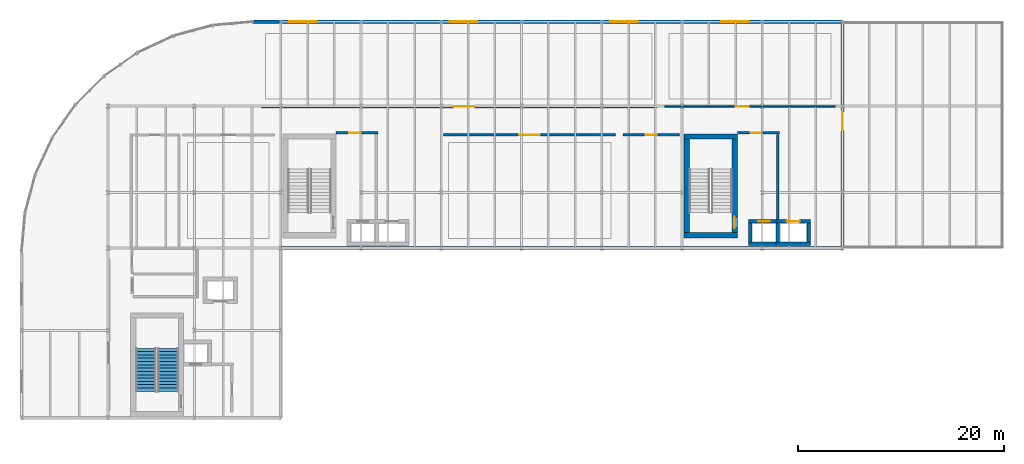
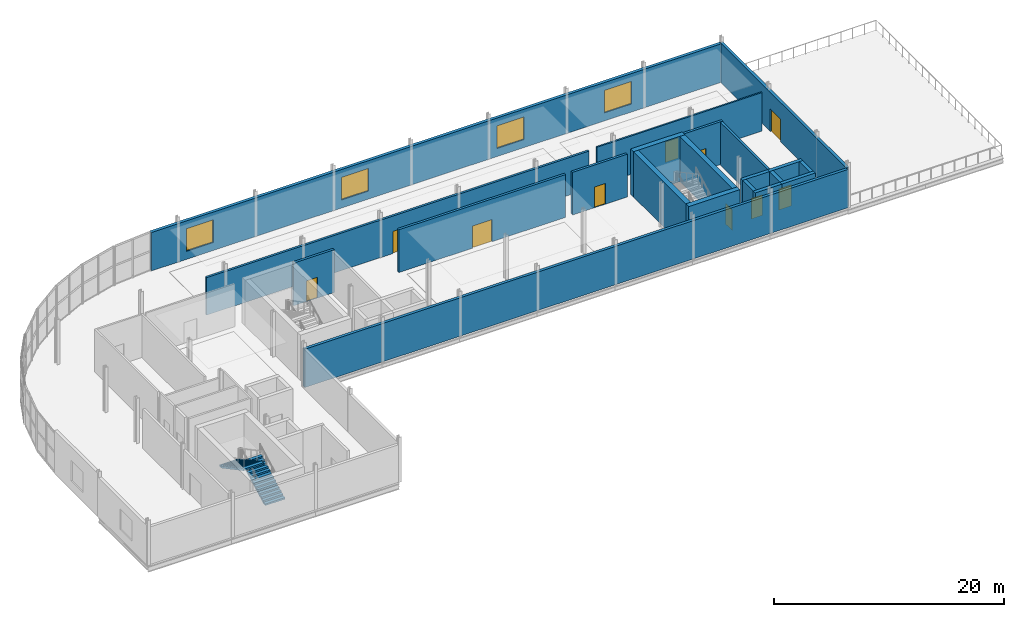
# One storey, part 11 of 15: 21 walls, 10 doors, 4 windows, 2 stair flights, 14 openings, 1 element without a shape of its own.
"""IFC4 building model written with IfcOpenShell, lengths in metres."""

import ifcopenshell
import ifcopenshell.guid

model = None  # the IFC model being written
_history = None  # IfcOwnerHistory: only IFC2X3 demands one
_inside = {}  # id of a spatial element -> (the spatial element, [elements in it])
_under = {}  # id of a project, library or spatial element -> (it, [spatial elements below it])
_declared = {}  # id of a project -> (the project, [libraries it declares])
_typed = {}  # id of a type object -> (the type object, [elements of that type])
_made_of = {}  # id of a material, layer set ... -> (it, [elements and type objects made of it])


def new_model(schema):
    """Start an empty IFC model of exactly this schema.

    Asked for "IFC4X3", IfcOpenShell would pick the latest addendum, in which some entities
    have other attributes; the version numbers below select the first issue.
    IFC2X3 requires an IfcOwnerHistory on every rooted entity: one is made here for all.
    """
    global model, _history
    if schema == "IFC4X3":
        model = ifcopenshell.file(schema_version=(4, 3, 0, 0))
    else:
        model = ifcopenshell.file(schema=schema)
    _inside.clear()
    _under.clear()
    _declared.clear()
    _typed.clear()
    _made_of.clear()
    _history = None
    if model.schema == "IFC2X3":
        org = make("IfcOrganization", Name="unknown")
        user = make(
            "IfcPersonAndOrganization",
            ThePerson=make("IfcPerson", FamilyName="unknown"),
            TheOrganization=org,
        )
        app = make(
            "IfcApplication",
            ApplicationDeveloper=org,
            Version="unknown",
            ApplicationFullName="unknown",
            ApplicationIdentifier="unknown",
        )
        _history = make(
            "IfcOwnerHistory",
            OwningUser=user,
            OwningApplication=app,
            ChangeAction="ADDED",
            CreationDate=0,
        )
    return model


def make(cls, **values):
    """One entity of the class cls with the attributes given. An attribute that is None is left unset."""
    return model.create_entity(
        cls, **{name: value for name, value in values.items() if value is not None}
    )


def rooted(cls, **values):
    """An entity with a GlobalId (a new one), such as an element, a storey or a relation."""
    return make(cls, GlobalId=ifcopenshell.guid.new(), OwnerHistory=_history, **values)


def si_unit(unit_type, name, prefix=None):
    """IfcSIUnit, for example si_unit("LENGTHUNIT", "METRE", prefix="MILLI")."""
    return make("IfcSIUnit", UnitType=unit_type, Prefix=prefix, Name=name)


def assignment(units):
    """IfcUnitAssignment: the units of a project."""
    return None if units is None else make("IfcUnitAssignment", Units=units)


def point(xyz):
    """IfcCartesianPoint."""
    return None if xyz is None else make("IfcCartesianPoint", Coordinates=xyz)


def direction(xyz):
    """IfcDirection."""
    return None if xyz is None else make("IfcDirection", DirectionRatios=xyz)


def frame(location, z_axis=None, x_axis=None):
    """IfcAxis2Placement3D, a coordinate frame: its origin and axes. An axis left out is left unset."""
    return make(
        "IfcAxis2Placement3D",
        Location=point(location),
        Axis=direction(z_axis),
        RefDirection=direction(x_axis),
    )


def frame_2d(location, x_axis=None):
    """IfcAxis2Placement2D, a coordinate frame in the plane: its origin and x axis."""
    return make(
        "IfcAxis2Placement2D", Location=point(location), RefDirection=direction(x_axis)
    )


def origin():
    """The frame at (0, 0, 0) with its axes left unset."""
    return frame((0.0, 0.0, 0.0))


def place(relative_to, where):
    """IfcLocalPlacement: puts the frame where relative to a parent placement (None: the world)."""
    return make(
        "IfcLocalPlacement", PlacementRelTo=relative_to, RelativePlacement=where
    )


def context(
    kind, dimensions, precision=None, world=None, true_north=None, identifier=None
):
    """IfcGeometricRepresentationContext, for example the 3D "Model" context."""
    return make(
        "IfcGeometricRepresentationContext",
        ContextIdentifier=identifier,
        ContextType=kind,
        CoordinateSpaceDimension=dimensions,
        Precision=precision,
        WorldCoordinateSystem=world,
        TrueNorth=true_north,
    )


def subcontext(parent, identifier, kind, view, scale=None):
    """IfcGeometricRepresentationSubContext, for example "Body" below "Model"."""
    return make(
        "IfcGeometricRepresentationSubContext",
        ContextIdentifier=identifier,
        ContextType=kind,
        ParentContext=parent,
        TargetScale=scale,
        TargetView=view,
    )


def project(units=None, contexts=None):
    """IfcProject with its units and contexts."""
    return rooted(
        "IfcProject",
        Name="project",
        RepresentationContexts=contexts,
        UnitsInContext=assignment(units),
    )


def spatial(cls, under=None, at=None, **own):
    """A site, building, storey or space (cls), placed at a placement, below another one or the project."""
    s = rooted(cls, ObjectPlacement=at, **own)
    if under is not None:
        _under.setdefault(under.id(), (under, []))[1].append(s)
    return s


def polyline(points):
    """IfcPolyline through the points."""
    return make("IfcPolyline", Points=[point(p) for p in points])


def profile(cls, at=None, kind="AREA", **sizes):
    """A parametric profile (cls). Its sizes go by their IFC names, for example OverallWidth=200.0."""
    return make(cls, ProfileType=kind, Position=at, **sizes)


def rectangle(**sizes):
    """IfcRectangleProfileDef."""
    return profile("IfcRectangleProfileDef", **sizes)


def outline(outer, holes=None, kind="AREA"):
    """IfcArbitraryClosedProfileDef: a profile drawn as a closed curve; with holes, ...WithVoids."""
    if holes is None:
        return make("IfcArbitraryClosedProfileDef", ProfileType=kind, OuterCurve=outer)
    return make(
        "IfcArbitraryProfileDefWithVoids",
        ProfileType=kind,
        OuterCurve=outer,
        InnerCurves=holes,
    )


def extrude(swept, where, along, depth):
    """IfcExtrudedAreaSolid: the profile swept, set in the frame where, extruded along a direction by depth."""
    return make(
        "IfcExtrudedAreaSolid",
        SweptArea=swept,
        Position=where,
        ExtrudedDirection=direction(along),
        Depth=depth,
    )


def shape(context_of_items, identifier, shape_type, items):
    """IfcShapeRepresentation: the items that make up one representation, for example the "Body"."""
    return make(
        "IfcShapeRepresentation",
        ContextOfItems=context_of_items,
        RepresentationIdentifier=identifier,
        RepresentationType=shape_type,
        Items=items,
    )


def material(Name=None, Category=None):
    """IfcMaterial."""
    return make("IfcMaterial", Name=Name, Category=Category)


def layer(
    of_material, thickness, ventilated=None, Name=None, Category=None, Priority=None
):
    """IfcMaterialLayer: one layer of a wall or slab, of a material (None: an air gap)."""
    return make(
        "IfcMaterialLayer",
        Material=of_material,
        LayerThickness=thickness,
        IsVentilated=ventilated,
        Name=Name,
        Category=Category,
        Priority=Priority,
    )


def layer_set(layers, Name=None):
    """IfcMaterialLayerSet."""
    return make("IfcMaterialLayerSet", MaterialLayers=layers, LayerSetName=Name)


def made_of(thing, what):
    """Note that an element or type object is made of a material, layer set ...; save() writes the relation."""
    if what is not None:
        _made_of.setdefault(what.id(), (what, []))[1].append(thing)
    return thing


def type_object(cls, material=None, **own):
    """A type object (cls), such as IfcWallType, which elements share."""
    return made_of(rooted(cls, **own), material)


def element(
    cls,
    number,
    at=None,
    inside=None,
    cuts=None,
    type_object=None,
    material=None,
    context=None,
    identifier="Body",
    shape_type=None,
    held_by="IfcProductDefinitionShape",
    body=None,
    shapes=None,
    **own,
):
    """One element of the class cls, such as IfcWall. Its Tag is "e" and its number.

    at: its placement. inside: the storey or other place that contains it. cuts: it is an
    opening in that element (IfcRelVoidsElement). A single representation is given by context,
    identifier, shape_type and body (its items); several are given by shapes. held_by: the class
    of the entity that holds the representations. save() writes the other relations.
    """
    e = rooted(cls, Tag="e%d" % number, ObjectPlacement=at, **own)
    if body is not None:
        shapes = [shape(context, identifier, shape_type, body)]
    if shapes is not None:
        e.Representation = make(held_by, Representations=shapes)
    if inside is not None:
        _inside.setdefault(inside.id(), (inside, []))[1].append(e)
    if cuts is not None:
        rooted(
            "IfcRelVoidsElement", RelatingBuildingElement=cuts, RelatedOpeningElement=e
        )
    if type_object is not None:
        _typed.setdefault(type_object.id(), (type_object, []))[1].append(e)
    return made_of(e, material)


def fill(opening, filler):
    """IfcRelFillsElement: the door or window that sits in an opening."""
    return rooted(
        "IfcRelFillsElement",
        RelatingOpeningElement=opening,
        RelatedBuildingElement=filler,
    )


def aggregate(whole, parts):
    """IfcRelAggregates: a whole, such as a stair, and the parts it consists of."""
    return rooted("IfcRelAggregates", RelatingObject=whole, RelatedObjects=parts)


def save(model, path):
    """Write the relations noted so far, then the file.

    IfcRelAggregates (storeys below a building ...), IfcRelContainedInSpatialStructure (elements
    in a storey), IfcRelDefinesByType, IfcRelAssociatesMaterial and IfcRelDeclares: one each for
    every whole, place, type object, material and project.
    """
    for whole, parts in _under.values():
        aggregate(whole, parts)
    for where, things in _inside.values():
        rooted(
            "IfcRelContainedInSpatialStructure",
            RelatedElements=things,
            RelatingStructure=where,
        )
    for kind, things in _typed.values():
        rooted("IfcRelDefinesByType", RelatedObjects=things, RelatingType=kind)
    for what, things in _made_of.values():
        rooted("IfcRelAssociatesMaterial", RelatedObjects=things, RelatingMaterial=what)
    for by, libraries in _declared.values():
        rooted("IfcRelDeclares", RelatingContext=by, RelatedDefinitions=libraries)
    model.write(path)


model = new_model("IFC4")

# Units and contexts
model_context = context("Model", 3, precision=1e-05, world=origin(), true_north=direction((0.0, 1.0)))
body_context = subcontext(model_context, "Body", "Model", "MODEL_VIEW")
ifc_project = project(units=[si_unit("LENGTHUNIT", "METRE"), si_unit("AREAUNIT", "SQUARE_METRE"), si_unit("VOLUMEUNIT", "CUBIC_METRE"), si_unit("PLANEANGLEUNIT", "RADIAN"), si_unit("MASSUNIT", "GRAM", prefix="KILO")], contexts=[model_context])

# Site, building, storey
site_placement = place(None, origin())
site = spatial("IfcSite", under=ifc_project, at=site_placement, CompositionType="ELEMENT")
building_placement = place(site_placement, origin())
building = spatial("IfcBuilding", under=site, at=building_placement, Name="Sefraquen Railside Congress Hotel", CompositionType="ELEMENT")
storey_placement = place(building_placement, frame((0.0, 0.0, 46.800048828125)))
storey = spatial("IfcBuildingStorey", under=building, at=storey_placement, Name="L11", CompositionType="ELEMENT", Elevation=46.800048828125)

# Wall, opening, door
ifc_material_1 = material(Name="Acoustic double stud and gypsum board", Category="gypsum")
ifc_layer_1 = layer(ifc_material_1, 0.219970703125)
ifc_layer_set_1 = layer_set([ifc_layer_1], Name="Acoustic double stud and gypsum board")
wall_type_1 = type_object("IfcWallType", Name="TW-AW-220", PredefinedType="PARTITIONING", material=ifc_layer_set_1)
wall_1_placement = place(storey_placement, frame((23.300048828125, 109.75, 0.0), z_axis=(0.0, 0.0, 1.0), x_axis=(1.0, 0.0, 0.0)))
wall_1 = element("IfcWall", 1, at=wall_1_placement, inside=storey, type_object=wall_type_1, Name="Panoramic Specialty Restaurant enclosure wall", PredefinedType="PARTITIONING", context=body_context, shape_type="SweptSolid", body=[
    extrude(rectangle(XDim=38.39990234375, YDim=0.219970703125, at=frame_2d((19.199951171875, 0.0))), origin(), (0.0, 0.0, 1.0), 3.97998046875),
])
opening_1_placement = place(wall_1_placement, frame((18.699951171875, 0.0, 0.0)))
opening_1 = element("IfcOpeningElement", 2, at=opening_1_placement, cuts=wall_1, Name="Opening AD-02", PredefinedType="OPENING", context=body_context, shape_type="SweptSolid", body=[
    extrude(rectangle(XDim=2.0, YDim=2.35009765625, at=frame_2d((1.0, 1.175048828125))), frame((0.0, 0.119873046875, 0.0), z_axis=(0.0, -1.0, 0.0), x_axis=(1.0, 0.0, 0.0)), (0.0, 0.0, 1.0), 0.239990234375),
])
ifc_material_2 = material(Name="Acoustic Atlas cedar timber", Category="wood")
door_type_1 = type_object("IfcDoorType", Name="TD-AD-02", OperationType="NOTDEFINED", PredefinedType="DOOR", material=ifc_material_2)
door_1_placement = place(opening_1_placement, origin())
door_1 = element("IfcDoor", 3, at=door_1_placement, inside=storey, type_object=door_type_1, Name="Panoramic Specialty Restaurant entrance door", OperationType="DOUBLE_SWING_LEFT", OverallHeight=2.35009765625, OverallWidth=2.0, PredefinedType="DOOR", context=body_context, shape_type="SweptSolid", body=[
    extrude(rectangle(XDim=2.0, YDim=2.35009765625, at=frame_2d((1.0, 1.175048828125))), frame((0.0, 0.02490234375, 0.0), z_axis=(0.0, -1.0, 0.0), x_axis=(1.0, 0.0, 0.0)), (0.0, 0.0, 1.0), 0.050048828125),
])
fill(opening_1, door_1)

ifc_material_3 = material(Name="Concrete C50/60", Category="concrete")
ifc_layer_2 = layer(ifc_material_3, 0.35009765625)
ifc_layer_set_2 = layer_set([ifc_layer_2], Name="Concrete C50/60")
wall_type_2 = type_object("IfcWallType", Name="TW-CW-350", PredefinedType="SHEAR", material=ifc_layer_set_2)
wall_2_placement = place(storey_placement, frame((70.639892578125, 98.594970703125, 0.0), z_axis=(0.0, 0.0, 1.0), x_axis=(1.0, 0.0, 0.0)))
wall_2 = element("IfcWall", 4, at=wall_2_placement, inside=storey, type_object=wall_type_2, Name="Lift FL-03 shaft wall N L11", PredefinedType="SHEAR", context=body_context, shape_type="SweptSolid", body=[
    extrude(rectangle(XDim=2.690185546875, YDim=0.35009765625, at=frame_2d((1.34521484375, 0.0))), origin(), (0.0, 0.0, 1.0), 4.5400390625),
])
opening_2_placement = place(wall_2_placement, frame((0.969970703125, 0.0, 0.0)))
opening_2 = element("IfcOpeningElement", 5, at=opening_2_placement, cuts=wall_2, Name="Opening LD-01", PredefinedType="OPENING", context=body_context, shape_type="SweptSolid", body=[
    extrude(rectangle(XDim=1.10009765625, YDim=2.199951171875, at=frame_2d((0.550048828125, 1.10009765625))), frame((0.0, 0.18505859375, 0.0), z_axis=(0.0, -1.0, 0.0), x_axis=(1.0, 0.0, 0.0)), (0.0, 0.0, 1.0), 0.3701171875),
])
ifc_material_4 = material(Name="Brushed bronze stainless steel", Category="steel")
door_type_2 = type_object("IfcDoorType", Name="TD-LD-01", OperationType="NOTDEFINED", PredefinedType="DOOR", material=ifc_material_4)
door_2_placement = place(opening_2_placement, origin())
door_2 = element("IfcDoor", 6, at=door_2_placement, inside=storey, type_object=door_type_2, Name="Lift landing door FL-03 L11", OperationType="SLIDING_TO_LEFT", OverallHeight=2.199951171875, OverallWidth=1.10009765625, PredefinedType="DOOR", context=body_context, shape_type="SweptSolid", body=[
    extrude(rectangle(XDim=1.10009765625, YDim=2.199951171875, at=frame_2d((0.550048828125, 1.10009765625))), frame((0.0, 0.02490234375, 0.0), z_axis=(0.0, -1.0, 0.0), x_axis=(1.0, 0.0, 0.0)), (0.0, 0.0, 1.0), 0.050048828125),
])
fill(opening_2, door_2)

# Walls
wall_3_placement = place(storey_placement, frame((70.639892578125, 96.405029296875, 0.0), z_axis=(0.0, 0.0, 1.0), x_axis=(1.0, 0.0, 0.0)))
element("IfcWall", 7, at=wall_3_placement, inside=storey, type_object=wall_type_2, Name="Lift FL-03 shaft wall S L11", PredefinedType="SHEAR", context=body_context, shape_type="SweptSolid", body=[
    extrude(rectangle(XDim=2.690185546875, YDim=0.35009765625, at=frame_2d((1.34521484375, 0.0))), origin(), (0.0, 0.0, 1.0), 4.5400390625),
])
wall_4_placement = place(storey_placement, frame((70.81494140625, 96.580078125, 0.0), z_axis=(0.0, 0.0, 1.0), x_axis=(0.0, 1.0, 0.0)))
element("IfcWall", 8, at=wall_4_placement, inside=storey, type_object=wall_type_2, Name="Lift FL-03 shaft wall W L11", PredefinedType="SHEAR", context=body_context, shape_type="SweptSolid", body=[
    extrude(rectangle(XDim=1.83984375, YDim=0.35009765625, at=frame_2d((0.919921875, 0.0))), origin(), (0.0, 0.0, 1.0), 4.5400390625),
])

# Wall, opening, door
wall_5_placement = place(storey_placement, frame((73.330078125, 98.594970703125, 0.0), z_axis=(0.0, 0.0, 1.0), x_axis=(1.0, 0.0, 0.0)))
wall_5 = element("IfcWall", 9, at=wall_5_placement, inside=storey, type_object=wall_type_2, Name="Lift PL-05 shaft wall N L11", PredefinedType="SHEAR", context=body_context, shape_type="SweptSolid", body=[
    extrude(rectangle(XDim=3.33984375, YDim=0.35009765625, at=frame_2d((1.669921875, 0.0))), origin(), (0.0, 0.0, 1.0), 4.5400390625),
])
opening_3_placement = place(wall_5_placement, frame((1.044921875, 0.0, 0.0)))
opening_3 = element("IfcOpeningElement", 10, at=opening_3_placement, cuts=wall_5, Name="Opening LD-02", PredefinedType="OPENING", context=body_context, shape_type="SweptSolid", body=[
    extrude(rectangle(XDim=1.25, YDim=2.25, at=frame_2d((0.625, 1.125))), frame((0.0, 0.18505859375, 0.0), z_axis=(0.0, -1.0, 0.0), x_axis=(1.0, 0.0, 0.0)), (0.0, 0.0, 1.0), 0.3701171875),
])
ifc_material_5 = material(Name="Brushed stainless steel", Category="steel")
door_type_3 = type_object("IfcDoorType", Name="TD-LD-02", OperationType="NOTDEFINED", PredefinedType="DOOR", material=ifc_material_5)
door_3_placement = place(opening_3_placement, origin())
door_3 = element("IfcDoor", 11, at=door_3_placement, inside=storey, type_object=door_type_3, Name="Lift landing door PL-05 L11", OperationType="SLIDING_TO_LEFT", OverallHeight=2.25, OverallWidth=1.25, PredefinedType="DOOR", context=body_context, shape_type="SweptSolid", body=[
    extrude(rectangle(XDim=1.25, YDim=2.25, at=frame_2d((0.625, 1.125))), frame((0.0, 0.02490234375, 0.0), z_axis=(0.0, -1.0, 0.0), x_axis=(1.0, 0.0, 0.0)), (0.0, 0.0, 1.0), 0.050048828125),
])
fill(opening_3, door_3)

# Walls
wall_6_placement = place(storey_placement, frame((73.330078125, 96.405029296875, 0.0), z_axis=(0.0, 0.0, 1.0), x_axis=(1.0, 0.0, 0.0)))
element("IfcWall", 12, at=wall_6_placement, inside=storey, type_object=wall_type_2, Name="Lift PL-05 shaft wall S L11", PredefinedType="SHEAR", context=body_context, shape_type="SweptSolid", body=[
    extrude(rectangle(XDim=3.33984375, YDim=0.35009765625, at=frame_2d((1.669921875, 0.0))), origin(), (0.0, 0.0, 1.0), 4.5400390625),
])
for number, where, z_axis, x_axis, name in (
    (13, (73.5048828125, 96.580078125, 0.0), (0.0, 0.0, 1.0), (0.0, 1.0, 0.0), "Lift PL-05 shaft wall W L11"),
    (14, (76.4951171875, 96.580078125, 0.0), (0.0, 0.0, 1.0), (0.0, 1.0, 0.0), "Lift PL-05 shaft wall E L11"),
):
    element("IfcWall", number, at=place(storey_placement, frame(where, z_axis=z_axis, x_axis=x_axis)), inside=storey, type_object=wall_type_2, Name=name, PredefinedType="SHEAR", context=body_context, shape_type="SweptSolid", body=[
        extrude(rectangle(XDim=1.83984375, YDim=0.35009765625, at=frame_2d((0.919921875, 0.0))), origin(), (0.0, 0.0, 1.0), 4.5400390625),
    ])
ifc_layer_3 = layer(ifc_material_3, 0.5)
ifc_layer_set_3 = layer_set([ifc_layer_3], Name="Concrete C50/60")
wall_type_3 = type_object("IfcWallType", Name="TW-CW-500", PredefinedType="SHEAR", material=ifc_layer_set_3)
for number, where, z_axis, x_axis, name in (
    (15, (64.39990234375, 106.862060546875, 0.0), (0.0, 0.0, 1.0), (1.0, 0.0, 0.0), "Core shear wall ST-H03 N L11"),
    (16, (64.39990234375, 97.25, 0.0), (0.0, 0.0, 1.0), (1.0, 0.0, 0.0), "Core shear wall ST-H03 S L11"),
):
    element("IfcWall", number, at=place(storey_placement, frame(where, z_axis=z_axis, x_axis=x_axis)), inside=storey, type_object=wall_type_3, Name=name, PredefinedType="SHEAR", context=body_context, shape_type="SweptSolid", body=[
        extrude(rectangle(XDim=5.16015625, YDim=0.5, at=frame_2d((2.580078125, 0.0))), origin(), (0.0, 0.0, 1.0), 4.800048828125),
    ])
wall_7_placement = place(storey_placement, frame((64.64990234375, 97.5, 0.0), z_axis=(0.0, 0.0, 1.0), x_axis=(0.0, 1.0, 0.0)))
element("IfcWall", 17, at=wall_7_placement, inside=storey, type_object=wall_type_3, Name="Core shear wall ST-H03 W L11", PredefinedType="SHEAR", context=body_context, shape_type="SweptSolid", body=[
    extrude(rectangle(XDim=9.112060546875, YDim=0.5, at=frame_2d((4.55615234375, 0.0))), origin(), (0.0, 0.0, 1.0), 4.800048828125),
])

# Wall, opening, door
wall_8_placement = place(storey_placement, frame((69.31005859375, 97.5, 0.0), z_axis=(0.0, 0.0, 1.0), x_axis=(0.0, 1.0, 0.0)))
wall_8 = element("IfcWall", 18, at=wall_8_placement, inside=storey, type_object=wall_type_3, Name="Core shear wall ST-H03 E L11", PredefinedType="SHEAR", context=body_context, shape_type="SweptSolid", body=[
    extrude(rectangle(XDim=9.112060546875, YDim=0.5, at=frame_2d((4.55615234375, 0.0))), origin(), (0.0, 0.0, 1.0), 4.800048828125),
])
opening_4_placement = place(wall_8_placement, frame((0.43994140625, 0.0, 0.0)))
opening_4 = element("IfcOpeningElement", 19, at=opening_4_placement, cuts=wall_8, Name="Opening FD-04", PredefinedType="OPENING", context=body_context, shape_type="SweptSolid", body=[
    extrude(rectangle(XDim=1.10009765625, YDim=2.199951171875, at=frame_2d((0.550048828125, 1.10009765625))), frame((0.0, 0.260009765625, 0.0), z_axis=(0.0, -1.0, 0.0), x_axis=(1.0, 0.0, 0.0)), (0.0, 0.0, 1.0), 0.52001953125),
])
ifc_material_6 = material(Name="Fire-rated steel", Category="steel")
door_type_4 = type_object("IfcDoorType", Name="TD-FD-04", OperationType="NOTDEFINED", PredefinedType="DOOR", material=ifc_material_6)
door_4_placement = place(opening_4_placement, origin())
door_4 = element("IfcDoor", 20, at=door_4_placement, inside=storey, type_object=door_type_4, Name="Pressurized stair ST-H03 fire door L11", OperationType="SINGLE_SWING_LEFT", OverallHeight=2.199951171875, OverallWidth=1.10009765625, PredefinedType="DOOR", context=body_context, shape_type="SweptSolid", body=[
    extrude(rectangle(XDim=1.10009765625, YDim=2.199951171875, at=frame_2d((0.550048828125, 1.10009765625))), frame((0.0, 0.02490234375, 0.0), z_axis=(0.0, -1.0, 0.0), x_axis=(1.0, 0.0, 0.0)), (0.0, 0.0, 1.0), 0.050048828125),
])
fill(opening_4, door_4)

ifc_material_7 = material(Name="Ochre Rabat calcarenite limestone and Concrete C40/50 backing", Category="masonry")
ifc_layer_4 = layer(ifc_material_7, 0.280029296875)
ifc_layer_set_4 = layer_set([ifc_layer_4], Name="Ochre Rabat calcarenite limestone and Concrete C40/50 backing")
wall_type_4 = type_object("IfcWallType", Name="TW-EW-280", PredefinedType="STANDARD", material=ifc_layer_set_4)
wall_9_placement = place(storey_placement, frame((79.800048828125, 96.0, 0.0), z_axis=(0.0, 0.0, 1.0), x_axis=(0.0, 1.0, 0.0)))
wall_9 = element("IfcWall", 21, at=wall_9_placement, inside=storey, type_object=wall_type_4, Name="Hotel L11 east gable facade wall", PredefinedType="STANDARD", context=body_context, shape_type="SweptSolid", body=[
    extrude(rectangle(XDim=22.0, YDim=0.280029296875, at=frame_2d((11.0, 0.0))), origin(), (0.0, 0.0, 1.0), 4.169921875),
])
opening_5_placement = place(wall_9_placement, frame((11.449951171875, 0.0, 0.0)))
opening_5 = element("IfcOpeningElement", 22, at=opening_5_placement, cuts=wall_9, Name="Opening ED-07", PredefinedType="OPENING", context=body_context, shape_type="SweptSolid", body=[
    extrude(rectangle(XDim=1.800048828125, YDim=2.39990234375, at=frame_2d((0.89990234375, 1.199951171875))), frame((0.0, 0.14990234375, 0.0), z_axis=(0.0, -1.0, 0.0), x_axis=(1.0, 0.0, 0.0)), (0.0, 0.0, 1.0), 0.300048828125),
])
ifc_material_8 = material(Name="Bronze and low-E fire-rated glass", Category="glass")
door_type_5 = type_object("IfcDoorType", Name="TD-ED-07", OperationType="NOTDEFINED", PredefinedType="DOOR", material=ifc_material_8)
door_5_placement = place(opening_5_placement, frame((1.800048828125, 0.0, 0.0), z_axis=(0.0, 0.0, 1.0), x_axis=(-1.0, 0.0, 0.0)))
door_5 = element("IfcDoor", 23, at=door_5_placement, inside=storey, type_object=door_type_5, Name="Hotel L11 roof terrace walk-out door", OperationType="DOUBLE_SWING_LEFT", OverallHeight=2.39990234375, OverallWidth=1.800048828125, PredefinedType="DOOR", context=body_context, shape_type="SweptSolid", body=[
    extrude(rectangle(XDim=1.800048828125, YDim=2.39990234375, at=frame_2d((0.89990234375, 1.199951171875))), frame((0.0, 0.02490234375, 0.0), z_axis=(0.0, -1.0, 0.0), x_axis=(1.0, 0.0, 0.0)), (0.0, 0.0, 1.0), 0.050048828125),
])
fill(opening_5, door_5)

# Wall
wall_10_placement = place(storey_placement, frame((25.199951171875, 96.0, 0.0), z_axis=(0.0, 0.0, 1.0), x_axis=(1.0, 0.0, 0.0)))
element("IfcWall", 24, at=wall_10_placement, inside=storey, type_object=wall_type_4, Name="Hotel L11 south courtyard facade wall", PredefinedType="STANDARD", context=body_context, shape_type="SweptSolid", body=[
    extrude(rectangle(XDim=54.60009765625, YDim=0.280029296875, at=frame_2d((27.300048828125, 0.0))), origin(), (0.0, 0.0, 1.0), 4.079833984375),
])

# Wall, openings, windows
ifc_layer_5 = layer(ifc_material_7, 0.300048828125)
ifc_layer_set_5 = layer_set([ifc_layer_5], Name="Ochre Rabat calcarenite limestone and Concrete C40/50 backing")
wall_type_5 = type_object("IfcWallType", Name="TW-EW-300", PredefinedType="STANDARD", material=ifc_layer_set_5)
wall_11_placement = place(storey_placement, frame((22.5, 118.0, 0.0), z_axis=(0.0, 0.0, 1.0), x_axis=(1.0, 0.0, 0.0)))
wall_11 = element("IfcWall", 25, at=wall_11_placement, inside=storey, type_object=wall_type_5, Name="Hotel L11 North Boulevard limestone facade wall", PredefinedType="STANDARD", context=body_context, shape_type="SweptSolid", body=[
    extrude(rectangle(XDim=57.300048828125, YDim=0.300048828125, at=frame_2d((28.64990234375, 0.0))), origin(), (0.0, 0.0, 1.0), 4.079833984375),
])
opening_6_placement = place(wall_11_placement, frame((3.5, 0.0, 0.85009765625)))
opening_6 = element("IfcOpeningElement", 26, at=opening_6_placement, cuts=wall_11, Name="Opening WN-11", PredefinedType="OPENING", context=body_context, shape_type="SweptSolid", body=[
    extrude(rectangle(XDim=2.699951171875, YDim=2.39990234375, at=frame_2d((1.35009765625, 1.199951171875))), frame((0.0, 0.159912109375, 0.0), z_axis=(0.0, -1.0, 0.0), x_axis=(1.0, 0.0, 0.0)), (0.0, 0.0, 1.0), 0.320068359375),
])
opening_7_placement = place(wall_11_placement, frame((19.10009765625, 0.0, 0.85009765625)))
opening_7 = element("IfcOpeningElement", 27, at=opening_7_placement, cuts=wall_11, Name="Opening WN-11", PredefinedType="OPENING", context=body_context, shape_type="SweptSolid", body=[
    extrude(rectangle(XDim=2.699951171875, YDim=2.39990234375, at=frame_2d((1.35009765625, 1.199951171875))), frame((0.0, 0.159912109375, 0.0), z_axis=(0.0, -1.0, 0.0), x_axis=(1.0, 0.0, 0.0)), (0.0, 0.0, 1.0), 0.320068359375),
])
opening_8_placement = place(wall_11_placement, frame((34.699951171875, 0.0, 0.85009765625)))
opening_8 = element("IfcOpeningElement", 28, at=opening_8_placement, cuts=wall_11, Name="Opening WN-11", PredefinedType="OPENING", context=body_context, shape_type="SweptSolid", body=[
    extrude(rectangle(XDim=2.699951171875, YDim=2.39990234375, at=frame_2d((1.35009765625, 1.199951171875))), frame((0.0, 0.159912109375, 0.0), z_axis=(0.0, -1.0, 0.0), x_axis=(1.0, 0.0, 0.0)), (0.0, 0.0, 1.0), 0.320068359375),
])
opening_9_placement = place(wall_11_placement, frame((45.5, 0.0, 0.85009765625)))
opening_9 = element("IfcOpeningElement", 29, at=opening_9_placement, cuts=wall_11, Name="Opening WN-11", PredefinedType="OPENING", context=body_context, shape_type="SweptSolid", body=[
    extrude(rectangle(XDim=2.699951171875, YDim=2.39990234375, at=frame_2d((1.35009765625, 1.199951171875))), frame((0.0, 0.159912109375, 0.0), z_axis=(0.0, -1.0, 0.0), x_axis=(1.0, 0.0, 0.0)), (0.0, 0.0, 1.0), 0.320068359375),
])
ifc_material_9 = material(Name="Solar-control low-E double glazing in bronze-anodised frame", Category="glass")
window_type = type_object("IfcWindowType", Name="TWN-W-11", PartitioningType="DOUBLE_PANEL_VERTICAL", PredefinedType="WINDOW", material=ifc_material_9)
window_1_placement = place(opening_6_placement, origin())
window_1 = element("IfcWindow", 30, at=window_1_placement, inside=storey, type_object=window_type, Name="Panoramic restaurant north window 1", OverallHeight=2.39990234375, OverallWidth=2.699951171875, PartitioningType="DOUBLE_PANEL_VERTICAL", PredefinedType="WINDOW", context=body_context, shape_type="SweptSolid", body=[
    extrude(rectangle(XDim=2.699951171875, YDim=2.39990234375, at=frame_2d((1.35009765625, 1.199951171875))), frame((0.0, 0.030029296875, 0.0), z_axis=(0.0, -1.0, 0.0), x_axis=(1.0, 0.0, 0.0)), (0.0, 0.0, 1.0), 0.06005859375),
])
fill(opening_6, window_1)
window_2_placement = place(opening_7_placement, origin())
window_2 = element("IfcWindow", 31, at=window_2_placement, inside=storey, type_object=window_type, Name="Panoramic restaurant north window 2", OverallHeight=2.39990234375, OverallWidth=2.699951171875, PartitioningType="DOUBLE_PANEL_VERTICAL", PredefinedType="WINDOW", context=body_context, shape_type="SweptSolid", body=[
    extrude(rectangle(XDim=2.699951171875, YDim=2.39990234375, at=frame_2d((1.35009765625, 1.199951171875))), frame((0.0, 0.030029296875, 0.0), z_axis=(0.0, -1.0, 0.0), x_axis=(1.0, 0.0, 0.0)), (0.0, 0.0, 1.0), 0.06005859375),
])
fill(opening_7, window_2)
window_3_placement = place(opening_8_placement, origin())
window_3 = element("IfcWindow", 32, at=window_3_placement, inside=storey, type_object=window_type, Name="Panoramic restaurant north window 3", OverallHeight=2.39990234375, OverallWidth=2.699951171875, PartitioningType="DOUBLE_PANEL_VERTICAL", PredefinedType="WINDOW", context=body_context, shape_type="SweptSolid", body=[
    extrude(rectangle(XDim=2.699951171875, YDim=2.39990234375, at=frame_2d((1.35009765625, 1.199951171875))), frame((0.0, 0.030029296875, 0.0), z_axis=(0.0, -1.0, 0.0), x_axis=(1.0, 0.0, 0.0)), (0.0, 0.0, 1.0), 0.06005859375),
])
fill(opening_8, window_3)
window_4_placement = place(opening_9_placement, origin())
window_4 = element("IfcWindow", 33, at=window_4_placement, inside=storey, type_object=window_type, Name="Panoramic restaurant north window 4", OverallHeight=2.39990234375, OverallWidth=2.699951171875, PartitioningType="DOUBLE_PANEL_VERTICAL", PredefinedType="WINDOW", context=body_context, shape_type="SweptSolid", body=[
    extrude(rectangle(XDim=2.699951171875, YDim=2.39990234375, at=frame_2d((1.35009765625, 1.199951171875))), frame((0.0, 0.030029296875, 0.0), z_axis=(0.0, -1.0, 0.0), x_axis=(1.0, 0.0, 0.0)), (0.0, 0.0, 1.0), 0.06005859375),
])
fill(opening_9, window_4)

# Wall, opening, door
ifc_material_10 = material(Name="Concrete C40/50", Category="concrete")
ifc_layer_6 = layer(ifc_material_10, 0.239990234375)
ifc_layer_set_6 = layer_set([ifc_layer_6], Name="Concrete C40/50")
wall_type_6 = type_object("IfcWallType", Name="TW-FW-240", PredefinedType="STANDARD", material=ifc_layer_set_6)
wall_12_placement = place(storey_placement, frame((30.56005859375, 107.199951171875, 0.0), z_axis=(0.0, 0.0, 1.0), x_axis=(1.0, 0.0, 0.0)))
wall_12 = element("IfcWall", 34, at=wall_12_placement, inside=storey, type_object=wall_type_6, Name="Firefighting Lift Lobby FFL-02 EI 120 separation wall L11", PredefinedType="STANDARD", context=body_context, shape_type="SweptSolid", body=[
    extrude(rectangle(XDim=4.099853515625, YDim=0.239990234375, at=frame_2d((2.0498046875, 0.0))), origin(), (0.0, 0.0, 1.0), 4.5400390625),
])
opening_10_placement = place(wall_12_placement, frame((1.300048828125, 0.0, 0.0)))
opening_10 = element("IfcOpeningElement", 35, at=opening_10_placement, cuts=wall_12, Name="Opening FD-04", PredefinedType="OPENING", context=body_context, shape_type="SweptSolid", body=[
    extrude(rectangle(XDim=1.10009765625, YDim=2.199951171875, at=frame_2d((0.550048828125, 1.10009765625))), frame((0.0, 0.1298828125, 0.0), z_axis=(0.0, -1.0, 0.0), x_axis=(1.0, 0.0, 0.0)), (0.0, 0.0, 1.0), 0.260009765625),
])
door_6_placement = place(opening_10_placement, origin())
door_6 = element("IfcDoor", 36, at=door_6_placement, inside=storey, type_object=door_type_4, Name="Firefighting Lift Lobby FFL-02 self-closing fire door L11", OperationType="SINGLE_SWING_LEFT", OverallHeight=2.199951171875, OverallWidth=1.10009765625, PredefinedType="DOOR", context=body_context, shape_type="SweptSolid", body=[
    extrude(rectangle(XDim=1.10009765625, YDim=2.199951171875, at=frame_2d((0.550048828125, 1.10009765625))), frame((0.0, 0.02490234375, 0.0), z_axis=(0.0, -1.0, 0.0), x_axis=(1.0, 0.0, 0.0)), (0.0, 0.0, 1.0), 0.050048828125),
])
fill(opening_10, door_6)

# Wall
wall_13_placement = place(storey_placement, frame((73.47998046875, 98.780029296875, 0.0), z_axis=(0.0, 0.0, 1.0), x_axis=(0.0, 1.0, 0.0)))
element("IfcWall", 37, at=wall_13_placement, inside=storey, type_object=wall_type_6, Name="Firefighting Lift Lobby FFL-03 east fire wall L11", PredefinedType="STANDARD", context=body_context, shape_type="SweptSolid", body=[
    extrude(rectangle(XDim=8.239990234375, YDim=0.239990234375, at=frame_2d((4.1201171875, 0.0))), origin(), (0.0, 0.0, 1.0), 4.5400390625),
])

# Wall, opening, door
wall_14_placement = place(storey_placement, frame((69.56005859375, 107.199951171875, 0.0), z_axis=(0.0, 0.0, 1.0), x_axis=(1.0, 0.0, 0.0)))
wall_14 = element("IfcWall", 38, at=wall_14_placement, inside=storey, type_object=wall_type_6, Name="Firefighting Lift Lobby FFL-03 EI 120 separation wall L11", PredefinedType="STANDARD", context=body_context, shape_type="SweptSolid", body=[
    extrude(rectangle(XDim=4.099853515625, YDim=0.239990234375, at=frame_2d((2.0498046875, 0.0))), origin(), (0.0, 0.0, 1.0), 4.5400390625),
])
opening_11_placement = place(wall_14_placement, frame((1.300048828125, 0.0, 0.0)))
opening_11 = element("IfcOpeningElement", 39, at=opening_11_placement, cuts=wall_14, Name="Opening FD-04", PredefinedType="OPENING", context=body_context, shape_type="SweptSolid", body=[
    extrude(rectangle(XDim=1.10009765625, YDim=2.199951171875, at=frame_2d((0.550048828125, 1.10009765625))), frame((0.0, 0.1298828125, 0.0), z_axis=(0.0, -1.0, 0.0), x_axis=(1.0, 0.0, 0.0)), (0.0, 0.0, 1.0), 0.260009765625),
])
door_7_placement = place(opening_11_placement, origin())
door_7 = element("IfcDoor", 40, at=door_7_placement, inside=storey, type_object=door_type_4, Name="Firefighting Lift Lobby FFL-03 self-closing fire door L11", OperationType="SINGLE_SWING_LEFT", OverallHeight=2.199951171875, OverallWidth=1.10009765625, PredefinedType="DOOR", context=body_context, shape_type="SweptSolid", body=[
    extrude(rectangle(XDim=1.10009765625, YDim=2.199951171875, at=frame_2d((0.550048828125, 1.10009765625))), frame((0.0, 0.02490234375, 0.0), z_axis=(0.0, -1.0, 0.0), x_axis=(1.0, 0.0, 0.0)), (0.0, 0.0, 1.0), 0.050048828125),
])
fill(opening_11, door_7)

wall_15_placement = place(storey_placement, frame((41.0, 107.0, 0.0), z_axis=(0.0, 0.0, 1.0), x_axis=(1.0, 0.0, 0.0)))
wall_15 = element("IfcWall", 41, at=wall_15_placement, inside=storey, type_object=wall_type_6, Name="Crown Restaurant Culinary Kitchen enclosure wall", PredefinedType="STANDARD", context=body_context, shape_type="SweptSolid", body=[
    extrude(rectangle(XDim=16.75, YDim=0.239990234375, at=frame_2d((8.375, 0.0))), origin(), (0.0, 0.0, 1.0), 4.5400390625),
])
opening_12_placement = place(wall_15_placement, frame((7.375, 0.0, 0.0)))
opening_12 = element("IfcOpeningElement", 42, at=opening_12_placement, cuts=wall_15, Name="Opening AD-02", PredefinedType="OPENING", context=body_context, shape_type="SweptSolid", body=[
    extrude(rectangle(XDim=2.0, YDim=2.35009765625, at=frame_2d((1.0, 1.175048828125))), frame((0.0, 0.1298828125, 0.0), z_axis=(0.0, -1.0, 0.0), x_axis=(1.0, 0.0, 0.0)), (0.0, 0.0, 1.0), 0.260009765625),
])
door_8_placement = place(opening_12_placement, origin())
door_8 = element("IfcDoor", 43, at=door_8_placement, inside=storey, type_object=door_type_1, Name="Crown Restaurant Culinary Kitchen entrance door", OperationType="DOUBLE_SWING_LEFT", OverallHeight=2.35009765625, OverallWidth=2.0, PredefinedType="DOOR", context=body_context, shape_type="SweptSolid", body=[
    extrude(rectangle(XDim=2.0, YDim=2.35009765625, at=frame_2d((1.0, 1.175048828125))), frame((0.0, 0.02490234375, 0.0), z_axis=(0.0, -1.0, 0.0), x_axis=(1.0, 0.0, 0.0)), (0.0, 0.0, 1.0), 0.050048828125),
])
fill(opening_12, door_8)

wall_16_placement = place(storey_placement, frame((58.449951171875, 107.0, 0.0), z_axis=(0.0, 0.0, 1.0), x_axis=(1.0, 0.0, 0.0)))
wall_16 = element("IfcWall", 44, at=wall_16_placement, inside=storey, type_object=wall_type_6, Name="Crown Acoustic HVAC and Heat-Pump Plant Room enclosure wall", PredefinedType="STANDARD", context=body_context, shape_type="SweptSolid", body=[
    extrude(rectangle(XDim=5.5, YDim=0.239990234375, at=frame_2d((2.75, 0.0))), origin(), (0.0, 0.0, 1.0), 4.5400390625),
])
opening_13_placement = place(wall_16_placement, frame((2.199951171875, 0.0, 0.0)))
opening_13 = element("IfcOpeningElement", 45, at=opening_13_placement, cuts=wall_16, Name="Opening FD-04", PredefinedType="OPENING", context=body_context, shape_type="SweptSolid", body=[
    extrude(rectangle(XDim=1.10009765625, YDim=2.199951171875, at=frame_2d((0.550048828125, 1.10009765625))), frame((0.0, 0.1298828125, 0.0), z_axis=(0.0, -1.0, 0.0), x_axis=(1.0, 0.0, 0.0)), (0.0, 0.0, 1.0), 0.260009765625),
])
door_9_placement = place(opening_13_placement, origin())
door_9 = element("IfcDoor", 46, at=door_9_placement, inside=storey, type_object=door_type_4, Name="Crown Acoustic HVAC and Heat-Pump Plant Room entrance door", OperationType="SINGLE_SWING_LEFT", OverallHeight=2.199951171875, OverallWidth=1.10009765625, PredefinedType="DOOR", context=body_context, shape_type="SweptSolid", body=[
    extrude(rectangle(XDim=1.10009765625, YDim=2.199951171875, at=frame_2d((0.550048828125, 1.10009765625))), frame((0.0, 0.02490234375, 0.0), z_axis=(0.0, -1.0, 0.0), x_axis=(1.0, 0.0, 0.0)), (0.0, 0.0, 1.0), 0.050048828125),
])
fill(opening_13, door_9)

ifc_material_11 = material(Name="Moisture-resistant gypsum board", Category="gypsum")
ifc_layer_7 = layer(ifc_material_11, 0.159912109375)
ifc_layer_set_7 = layer_set([ifc_layer_7], Name="Moisture-resistant gypsum board")
wall_type_7 = type_object("IfcWallType", Name="TW-PW-160", PredefinedType="PARTITIONING", material=ifc_layer_set_7)
wall_17_placement = place(storey_placement, frame((62.5, 109.75, 0.0), z_axis=(0.0, 0.0, 1.0), x_axis=(1.0, 0.0, 0.0)))
wall_17 = element("IfcWall", 47, at=wall_17_placement, inside=storey, type_object=wall_type_7, Name="Art Nouveau Sky Bar and Lounge enclosure wall", PredefinedType="PARTITIONING", context=body_context, shape_type="SweptSolid", body=[
    extrude(rectangle(XDim=16.60009765625, YDim=0.159912109375, at=frame_2d((8.300048828125, 0.0))), origin(), (0.0, 0.0, 1.0), 4.079833984375),
])
opening_14_placement = place(wall_17_placement, frame((6.89990234375, 0.0, 0.0)))
opening_14 = element("IfcOpeningElement", 48, at=opening_14_placement, cuts=wall_17, Name="Opening MD-02", PredefinedType="OPENING", context=body_context, shape_type="SweptSolid", body=[
    extrude(rectangle(XDim=1.300048828125, YDim=2.199951171875, at=frame_2d((0.64990234375, 1.10009765625))), frame((0.0, 0.08984375, 0.0), z_axis=(0.0, -1.0, 0.0), x_axis=(1.0, 0.0, 0.0)), (0.0, 0.0, 1.0), 0.179931640625),
])
ifc_material_12 = material(Name="Acoustic cedar veneer", Category="wood")
door_type_6 = type_object("IfcDoorType", Name="TD-MD-02", OperationType="NOTDEFINED", PredefinedType="DOOR", material=ifc_material_12)
door_10_placement = place(opening_14_placement, origin())
door_10 = element("IfcDoor", 49, at=door_10_placement, inside=storey, type_object=door_type_6, Name="Art Nouveau Sky Bar and Lounge entrance door", OperationType="SINGLE_SWING_LEFT", OverallHeight=2.199951171875, OverallWidth=1.300048828125, PredefinedType="DOOR", context=body_context, shape_type="SweptSolid", body=[
    extrude(rectangle(XDim=1.300048828125, YDim=2.199951171875, at=frame_2d((0.64990234375, 1.10009765625))), frame((0.0, 0.02490234375, 0.0), z_axis=(0.0, -1.0, 0.0), x_axis=(1.0, 0.0, 0.0)), (0.0, 0.0, 1.0), 0.050048828125),
])
fill(opening_14, door_10)

# Stair, stair flights
stair_type = type_object("IfcStairType", Name="TST-DOG-198-360", PredefinedType="HALF_TURN_STAIR", material=ifc_material_10)
stair_placement = place(storey_placement, origin())
stair = element("IfcStair", 50, at=stair_placement, inside=storey, type_object=stair_type, Name="L11 Pressurized escape stair ST-H01", PredefinedType="HALF_TURN_STAIR")
stair_flight_type = type_object("IfcStairFlightType", Name="TSF-FLT-198-360", PredefinedType="STRAIGHT", material=ifc_material_10)
stair_flight_1_placement = place(storey_placement, frame((14.27001953125, 82.080078125, 0.0), z_axis=(0.0, 0.0, 1.0), x_axis=(0.0, 1.0, 0.0)))
stair_flight_1 = element("IfcStairFlight", 51, at=stair_flight_1_placement, type_object=stair_flight_type, Name="ST-H01 flight 1", NumberOfRisers=14, NumberOfTreads=13, PredefinedType="STRAIGHT", RiserHeight=0.171428571, TreadLength=0.322, context=body_context, shape_type="SweptSolid", body=[
    extrude(outline(polyline([(0.0, 0.0), (0.0, 0.17138671875), (0.322021484375, 0.17138671875), (0.322021484375, 0.3427734375), (0.64404296875, 0.3427734375), (0.64404296875, 0.514404296875), (0.966064453125, 0.514404296875), (0.966064453125, 0.685791015625), (1.2880859375, 0.685791015625), (1.2880859375, 0.857177734375), (1.610107421875, 0.857177734375), (1.610107421875, 1.028564453125), (1.931884765625, 1.028564453125), (1.931884765625, 1.199951171875), (2.25390625, 1.199951171875), (2.25390625, 1.371337890625), (2.575927734375, 1.371337890625), (2.575927734375, 1.54296875), (2.89794921875, 1.54296875), (2.89794921875, 1.71435546875), (3.219970703125, 1.71435546875), (3.219970703125, 1.8857421875), (3.5419921875, 1.8857421875), (3.5419921875, 2.05712890625), (3.864013671875, 2.05712890625), (3.864013671875, 2.228515625), (4.18603515625, 2.228515625), (4.18603515625, 2.39990234375), (4.18603515625, 2.058837890625), (0.319091796875, 0.0), (0.0, 0.0)])), frame((0.0, 0.989990234375, 0.0), z_axis=(0.0, -1.0, 0.0), x_axis=(1.0, 0.0, 0.0)), (0.0, 0.0, 1.0), 1.97998046875),
])
stair_flight_2_placement = place(storey_placement, frame((12.090087890625, 86.26611328125, 2.39990234375), z_axis=(0.0, 0.0, 1.0), x_axis=(0.0, -1.0, 0.0)))
stair_flight_2 = element("IfcStairFlight", 52, at=stair_flight_2_placement, type_object=stair_flight_type, Name="ST-H01 flight 2", NumberOfRisers=14, NumberOfTreads=13, PredefinedType="STRAIGHT", RiserHeight=0.171428571, TreadLength=0.322, context=body_context, shape_type="SweptSolid", body=[
    extrude(outline(polyline([(0.0, 0.0), (0.0, 0.17138671875), (0.322021484375, 0.17138671875), (0.322021484375, 0.3427734375), (0.64404296875, 0.3427734375), (0.64404296875, 0.514404296875), (0.966064453125, 0.514404296875), (0.966064453125, 0.685791015625), (1.2880859375, 0.685791015625), (1.2880859375, 0.857177734375), (1.610107421875, 0.857177734375), (1.610107421875, 1.028564453125), (1.931884765625, 1.028564453125), (1.931884765625, 1.199951171875), (2.25390625, 1.199951171875), (2.25390625, 1.371337890625), (2.575927734375, 1.371337890625), (2.575927734375, 1.54296875), (2.89794921875, 1.54296875), (2.89794921875, 1.71435546875), (3.219970703125, 1.71435546875), (3.219970703125, 1.8857421875), (3.5419921875, 1.8857421875), (3.5419921875, 2.05712890625), (3.864013671875, 2.05712890625), (3.864013671875, 2.228515625), (4.18603515625, 2.228515625), (4.18603515625, 2.39990234375), (4.18603515625, 2.058837890625), (0.319091796875, 0.0), (0.0, 0.0)])), frame((0.0, 0.989990234375, 0.0), z_axis=(0.0, -1.0, 0.0), x_axis=(1.0, 0.0, 0.0)), (0.0, 0.0, 1.0), 1.97998046875),
])
aggregate(stair, [stair_flight_1, stair_flight_2])

save(model, "model.ifc")
